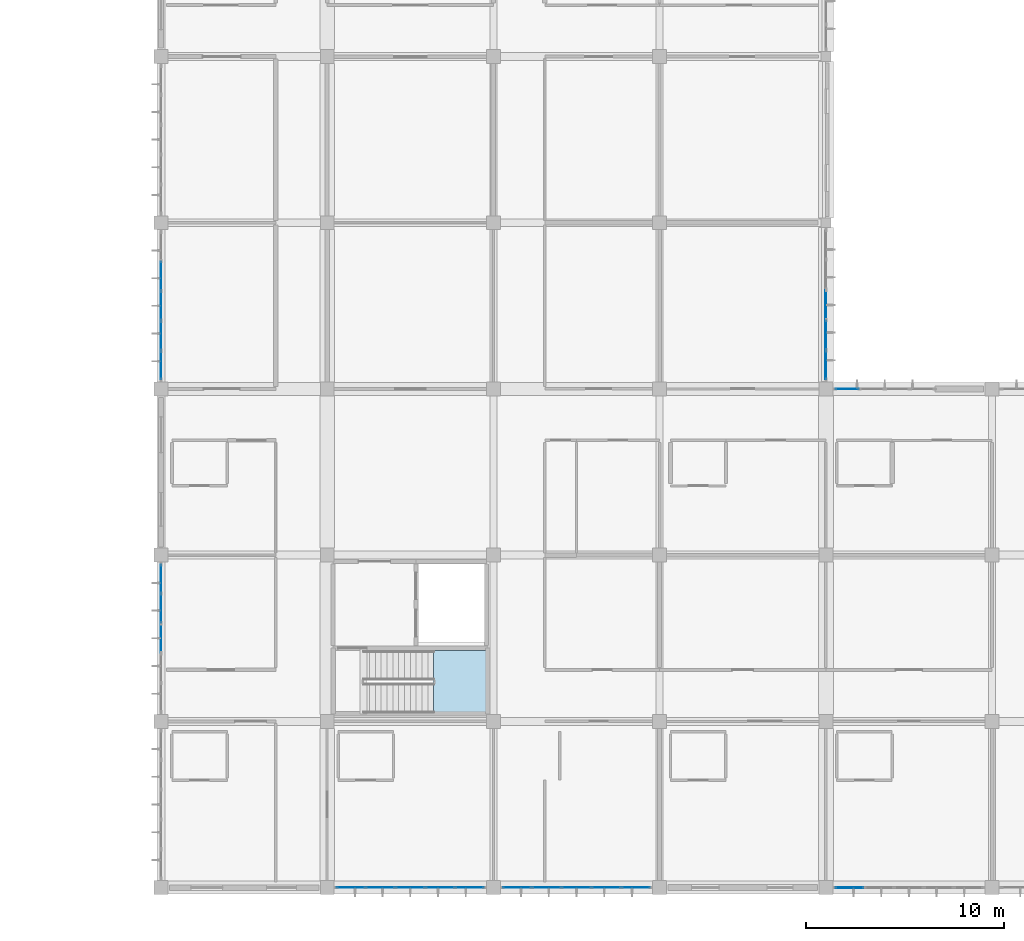
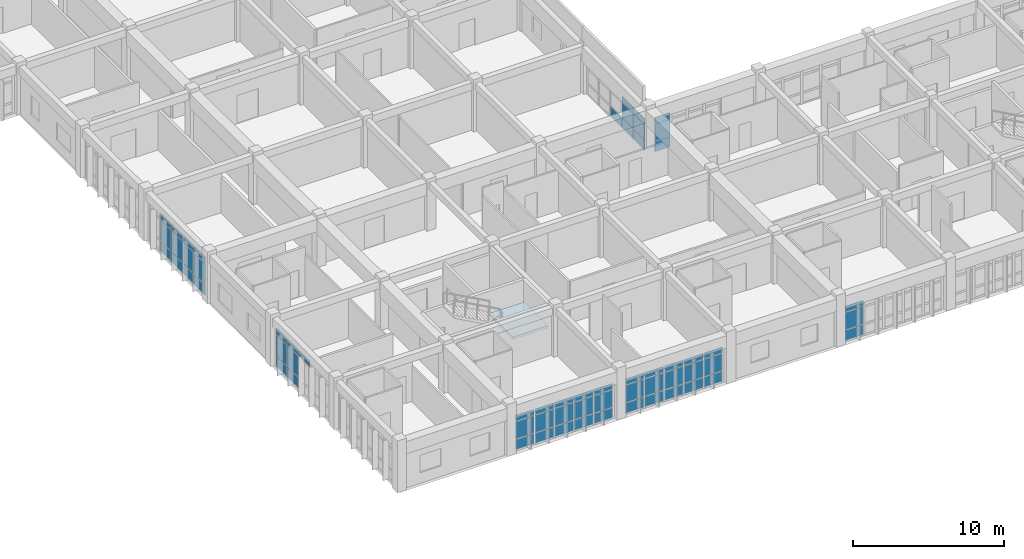
# One storey, part 57 of 119: 62 plates, 1 slab, 8 elements without a shape of their own.
"""IFC4 building model written with IfcOpenShell, lengths in metres."""

from ifc_helpers import new_model, si_unit, direction, frame, origin, origin_2d, place, context, subcontext, project, spatial, polyline, rectangle, outline, extrude, material, layer, layer_set, type_object, element, aggregate, save


model = new_model("IFC4")

# Units and contexts
model_context = context("Model", 3, precision=1e-05, world=origin(), true_north=direction((0.0, 1.0)))
body_context = subcontext(model_context, "Body", "Model", "MODEL_VIEW")
ifc_project = project(units=[si_unit("LENGTHUNIT", "METRE"), si_unit("AREAUNIT", "SQUARE_METRE"), si_unit("VOLUMEUNIT", "CUBIC_METRE"), si_unit("PLANEANGLEUNIT", "RADIAN"), si_unit("MASSUNIT", "GRAM", prefix="KILO")], contexts=[model_context])

# Site, building, storey
site_placement = place(None, origin())
site = spatial("IfcSite", under=ifc_project, at=site_placement, CompositionType="ELEMENT")
building_placement = place(site_placement, origin())
building = spatial("IfcBuilding", under=site, at=building_placement, Name="Bramfleet General Hospital", CompositionType="ELEMENT")
storey_placement = place(building_placement, frame((0.0, 0.0, 14.39990234375)))
storey = spatial("IfcBuildingStorey", under=building, at=storey_placement, Name="L03", CompositionType="ELEMENT", Elevation=14.39990234375)

# Curtain wall, plates
ifc_material_1 = material(Name="Anodised aluminium and low-E triple glazing", Category="aluminium")
ifc_layer_1 = layer(ifc_material_1, 0.179931640625, Name="CWT-CW-11")
ifc_layer_set_1 = layer_set([ifc_layer_1], Name="Anodised aluminium and low-E triple glazing")
curtain_wall_type_1 = type_object("IfcCurtainWallType", Name="CWT-CW-11", PredefinedType="USERDEFINED", material=ifc_layer_set_1)
curtain_wall_1_placement = place(storey_placement, origin())
curtain_wall_1 = element("IfcCurtainWall", 1, at=curtain_wall_1_placement, inside=storey, type_object=curtain_wall_type_1, Name="L03 Curtain Wall 173", ObjectType="Stick curtain wall", PredefinedType="USERDEFINED")
ifc_material_2 = material(Name="Low-E laminated safety glass", Category="glass")
ifc_layer_2 = layer(ifc_material_2, 0.028076171875, Name="CWP-GLZ-1")
ifc_layer_set_2 = layer_set([ifc_layer_2], Name="Low-E laminated safety glass")
plate_type_1 = type_object("IfcPlateType", Name="CWP-GLZ-1", PredefinedType="CURTAIN_PANEL", material=ifc_layer_set_2)
plate_1_placement = place(storey_placement, frame((116.402587890625, 0.0, 0.06494140625), z_axis=(0.0, 0.0, 1.0), x_axis=(-1.0, 0.0, 0.0)))
plate_1 = element("IfcPlate", 2, at=plate_1_placement, type_object=plate_type_1, Name="CW-11 panel 1.1", PredefinedType="CURTAIN_PANEL", context=body_context, shape_type="SweptSolid", body=[
    extrude(rectangle(XDim=1.405029296875, YDim=0.028076171875, at=origin_2d()), origin(), (0.0, 0.0, 1.0), 0.802490234375),
])
plate_2_placement = place(storey_placement, frame((116.402587890625, 0.0, 0.9326171875), z_axis=(0.0, 0.0, 1.0), x_axis=(-1.0, 0.0, 0.0)))
plate_2 = element("IfcPlate", 3, at=plate_2_placement, type_object=plate_type_1, Name="CW-11 panel 1.2", PredefinedType="CURTAIN_PANEL", context=body_context, shape_type="SweptSolid", body=[
    extrude(rectangle(XDim=1.405029296875, YDim=0.028076171875, at=origin_2d()), origin(), (0.0, 0.0, 1.0), 1.375),
])
plate_3_placement = place(storey_placement, frame((116.402587890625, 0.0, 2.37255859375), z_axis=(0.0, 0.0, 1.0), x_axis=(-1.0, 0.0, 0.0)))
plate_3 = element("IfcPlate", 4, at=plate_3_placement, type_object=plate_type_1, Name="CW-11 panel 1.3", PredefinedType="CURTAIN_PANEL", context=body_context, shape_type="SweptSolid", body=[
    extrude(rectangle(XDim=1.405029296875, YDim=0.028076171875, at=origin_2d()), origin(), (0.0, 0.0, 1.0), 0.452392578125),
])
plate_4_placement = place(storey_placement, frame((114.909912109375, 0.0, 0.06494140625), z_axis=(0.0, 0.0, 1.0), x_axis=(-1.0, 0.0, 0.0)))
plate_4 = element("IfcPlate", 5, at=plate_4_placement, type_object=plate_type_1, Name="CW-11 panel 2.1", PredefinedType="CURTAIN_PANEL", context=body_context, shape_type="SweptSolid", body=[
    extrude(rectangle(XDim=1.43994140625, YDim=0.028076171875, at=origin_2d()), origin(), (0.0, 0.0, 1.0), 0.802490234375),
])
plate_5_placement = place(storey_placement, frame((114.909912109375, 0.0, 0.9326171875), z_axis=(0.0, 0.0, 1.0), x_axis=(-1.0, 0.0, 0.0)))
plate_5 = element("IfcPlate", 6, at=plate_5_placement, type_object=plate_type_1, Name="CW-11 panel 2.2", PredefinedType="CURTAIN_PANEL", context=body_context, shape_type="SweptSolid", body=[
    extrude(rectangle(XDim=1.43994140625, YDim=0.028076171875, at=origin_2d()), origin(), (0.0, 0.0, 1.0), 1.375),
])
plate_6_placement = place(storey_placement, frame((114.909912109375, 0.0, 2.37255859375), z_axis=(0.0, 0.0, 1.0), x_axis=(-1.0, 0.0, 0.0)))
plate_6 = element("IfcPlate", 7, at=plate_6_placement, type_object=plate_type_1, Name="CW-11 panel 2.3", PredefinedType="CURTAIN_PANEL", context=body_context, shape_type="SweptSolid", body=[
    extrude(rectangle(XDim=1.43994140625, YDim=0.028076171875, at=origin_2d()), origin(), (0.0, 0.0, 1.0), 0.452392578125),
])
plate_7_placement = place(storey_placement, frame((113.39990234375, 0.0, 0.06494140625), z_axis=(0.0, 0.0, 1.0), x_axis=(-1.0, 0.0, 0.0)))
plate_7 = element("IfcPlate", 8, at=plate_7_placement, type_object=plate_type_1, Name="CW-11 panel 3.1", PredefinedType="CURTAIN_PANEL", context=body_context, shape_type="SweptSolid", body=[
    extrude(rectangle(XDim=1.43994140625, YDim=0.028076171875, at=origin_2d()), origin(), (0.0, 0.0, 1.0), 0.802490234375),
])
plate_8_placement = place(storey_placement, frame((113.39990234375, 0.0, 0.9326171875), z_axis=(0.0, 0.0, 1.0), x_axis=(-1.0, 0.0, 0.0)))
plate_8 = element("IfcPlate", 9, at=plate_8_placement, type_object=plate_type_1, Name="CW-11 panel 3.2", PredefinedType="CURTAIN_PANEL", context=body_context, shape_type="SweptSolid", body=[
    extrude(rectangle(XDim=1.43994140625, YDim=0.028076171875, at=origin_2d()), origin(), (0.0, 0.0, 1.0), 1.375),
])
plate_9_placement = place(storey_placement, frame((113.39990234375, 0.0, 2.37255859375), z_axis=(0.0, 0.0, 1.0), x_axis=(-1.0, 0.0, 0.0)))
plate_9 = element("IfcPlate", 10, at=plate_9_placement, type_object=plate_type_1, Name="CW-11 panel 3.3", PredefinedType="CURTAIN_PANEL", context=body_context, shape_type="SweptSolid", body=[
    extrude(rectangle(XDim=1.43994140625, YDim=0.028076171875, at=origin_2d()), origin(), (0.0, 0.0, 1.0), 0.452392578125),
])
plate_10_placement = place(storey_placement, frame((111.889892578125, 0.0, 0.06494140625), z_axis=(0.0, 0.0, 1.0), x_axis=(-1.0, 0.0, 0.0)))
plate_10 = element("IfcPlate", 11, at=plate_10_placement, type_object=plate_type_1, Name="CW-11 panel 4.1", PredefinedType="CURTAIN_PANEL", context=body_context, shape_type="SweptSolid", body=[
    extrude(rectangle(XDim=1.43994140625, YDim=0.028076171875, at=origin_2d()), origin(), (0.0, 0.0, 1.0), 0.802490234375),
])
plate_11_placement = place(storey_placement, frame((111.889892578125, 0.0, 0.9326171875), z_axis=(0.0, 0.0, 1.0), x_axis=(-1.0, 0.0, 0.0)))
plate_11 = element("IfcPlate", 12, at=plate_11_placement, type_object=plate_type_1, Name="CW-11 panel 4.2", PredefinedType="CURTAIN_PANEL", context=body_context, shape_type="SweptSolid", body=[
    extrude(rectangle(XDim=1.43994140625, YDim=0.028076171875, at=origin_2d()), origin(), (0.0, 0.0, 1.0), 1.375),
])
plate_12_placement = place(storey_placement, frame((111.889892578125, 0.0, 2.37255859375), z_axis=(0.0, 0.0, 1.0), x_axis=(-1.0, 0.0, 0.0)))
plate_12 = element("IfcPlate", 13, at=plate_12_placement, type_object=plate_type_1, Name="CW-11 panel 4.3", PredefinedType="CURTAIN_PANEL", context=body_context, shape_type="SweptSolid", body=[
    extrude(rectangle(XDim=1.43994140625, YDim=0.028076171875, at=origin_2d()), origin(), (0.0, 0.0, 1.0), 0.452392578125),
])
plate_13_placement = place(storey_placement, frame((110.3974609375, 0.0, 0.06494140625), z_axis=(0.0, 0.0, 1.0), x_axis=(-1.0, 0.0, 0.0)))
plate_13 = element("IfcPlate", 14, at=plate_13_placement, type_object=plate_type_1, Name="CW-11 panel 5.1", PredefinedType="CURTAIN_PANEL", context=body_context, shape_type="SweptSolid", body=[
    extrude(rectangle(XDim=1.405029296875, YDim=0.028076171875, at=origin_2d()), origin(), (0.0, 0.0, 1.0), 0.802490234375),
])
plate_14_placement = place(storey_placement, frame((110.3974609375, 0.0, 0.9326171875), z_axis=(0.0, 0.0, 1.0), x_axis=(-1.0, 0.0, 0.0)))
plate_14 = element("IfcPlate", 15, at=plate_14_placement, type_object=plate_type_1, Name="CW-11 panel 5.2", PredefinedType="CURTAIN_PANEL", context=body_context, shape_type="SweptSolid", body=[
    extrude(rectangle(XDim=1.405029296875, YDim=0.028076171875, at=origin_2d()), origin(), (0.0, 0.0, 1.0), 1.375),
])
plate_15_placement = place(storey_placement, frame((110.3974609375, 0.0, 2.37255859375), z_axis=(0.0, 0.0, 1.0), x_axis=(-1.0, 0.0, 0.0)))
plate_15 = element("IfcPlate", 16, at=plate_15_placement, type_object=plate_type_1, Name="CW-11 panel 5.3", PredefinedType="CURTAIN_PANEL", context=body_context, shape_type="SweptSolid", body=[
    extrude(rectangle(XDim=1.405029296875, YDim=0.028076171875, at=origin_2d()), origin(), (0.0, 0.0, 1.0), 0.452392578125),
])
aggregate(curtain_wall_1, [plate_1, plate_2, plate_3, plate_4, plate_5, plate_6, plate_7, plate_8, plate_9, plate_10, plate_11, plate_12, plate_13, plate_14, plate_15])

ifc_layer_3 = layer(ifc_material_1, 0.179931640625, Name="CWT-CW-15")
ifc_layer_set_3 = layer_set([ifc_layer_3], Name="Anodised aluminium and low-E triple glazing")
curtain_wall_type_2 = type_object("IfcCurtainWallType", Name="CWT-CW-15", PredefinedType="USERDEFINED", material=ifc_layer_set_3)
curtain_wall_2_placement = place(storey_placement, origin())
curtain_wall_2 = element("IfcCurtainWall", 17, at=curtain_wall_2_placement, inside=storey, type_object=curtain_wall_type_2, Name="L03 Curtain Wall 177", ObjectType="Stick curtain wall", PredefinedType="USERDEFINED")
plate_16_placement = place(storey_placement, frame((92.39990234375, 26.3974609375, 0.06494140625), z_axis=(0.0, 0.0, 1.0), x_axis=(0.0, 1.0, 0.0)))
plate_16 = element("IfcPlate", 18, at=plate_16_placement, type_object=plate_type_1, Name="CW-15 panel 1.1", PredefinedType="CURTAIN_PANEL", context=body_context, shape_type="SweptSolid", body=[
    extrude(rectangle(XDim=1.405029296875, YDim=0.028076171875, at=origin_2d()), origin(), (0.0, 0.0, 1.0), 0.802490234375),
])
plate_17_placement = place(storey_placement, frame((92.39990234375, 26.3974609375, 0.9326171875), z_axis=(0.0, 0.0, 1.0), x_axis=(0.0, 1.0, 0.0)))
plate_17 = element("IfcPlate", 19, at=plate_17_placement, type_object=plate_type_1, Name="CW-15 panel 1.2", PredefinedType="CURTAIN_PANEL", context=body_context, shape_type="SweptSolid", body=[
    extrude(rectangle(XDim=1.405029296875, YDim=0.028076171875, at=origin_2d()), origin(), (0.0, 0.0, 1.0), 1.675048828125),
])
plate_18_placement = place(storey_placement, frame((92.39990234375, 26.3974609375, 2.6728515625), z_axis=(0.0, 0.0, 1.0), x_axis=(0.0, 1.0, 0.0)))
plate_18 = element("IfcPlate", 20, at=plate_18_placement, type_object=plate_type_1, Name="CW-15 panel 1.3", PredefinedType="CURTAIN_PANEL", context=body_context, shape_type="SweptSolid", body=[
    extrude(rectangle(XDim=1.405029296875, YDim=0.028076171875, at=origin_2d()), origin(), (0.0, 0.0, 1.0), 0.452392578125),
])
plate_19_placement = place(storey_placement, frame((92.39990234375, 27.889892578125, 0.06494140625), z_axis=(0.0, 0.0, 1.0), x_axis=(0.0, 1.0, 0.0)))
plate_19 = element("IfcPlate", 21, at=plate_19_placement, type_object=plate_type_1, Name="CW-15 panel 2.1", PredefinedType="CURTAIN_PANEL", context=body_context, shape_type="SweptSolid", body=[
    extrude(rectangle(XDim=1.43994140625, YDim=0.028076171875, at=origin_2d()), origin(), (0.0, 0.0, 1.0), 0.802490234375),
])
plate_20_placement = place(storey_placement, frame((92.39990234375, 27.889892578125, 0.9326171875), z_axis=(0.0, 0.0, 1.0), x_axis=(0.0, 1.0, 0.0)))
plate_20 = element("IfcPlate", 22, at=plate_20_placement, type_object=plate_type_1, Name="CW-15 panel 2.2", PredefinedType="CURTAIN_PANEL", context=body_context, shape_type="SweptSolid", body=[
    extrude(rectangle(XDim=1.43994140625, YDim=0.028076171875, at=origin_2d()), origin(), (0.0, 0.0, 1.0), 1.675048828125),
])
plate_21_placement = place(storey_placement, frame((92.39990234375, 27.889892578125, 2.6728515625), z_axis=(0.0, 0.0, 1.0), x_axis=(0.0, 1.0, 0.0)))
plate_21 = element("IfcPlate", 23, at=plate_21_placement, type_object=plate_type_1, Name="CW-15 panel 2.3", PredefinedType="CURTAIN_PANEL", context=body_context, shape_type="SweptSolid", body=[
    extrude(rectangle(XDim=1.43994140625, YDim=0.028076171875, at=origin_2d()), origin(), (0.0, 0.0, 1.0), 0.452392578125),
])
plate_22_placement = place(storey_placement, frame((92.39990234375, 29.39990234375, 0.06494140625), z_axis=(0.0, 0.0, 1.0), x_axis=(0.0, 1.0, 0.0)))
plate_22 = element("IfcPlate", 24, at=plate_22_placement, type_object=plate_type_1, Name="CW-15 panel 3.1", PredefinedType="CURTAIN_PANEL", context=body_context, shape_type="SweptSolid", body=[
    extrude(rectangle(XDim=1.43994140625, YDim=0.028076171875, at=origin_2d()), origin(), (0.0, 0.0, 1.0), 0.802490234375),
])
plate_23_placement = place(storey_placement, frame((92.39990234375, 29.39990234375, 0.9326171875), z_axis=(0.0, 0.0, 1.0), x_axis=(0.0, 1.0, 0.0)))
plate_23 = element("IfcPlate", 25, at=plate_23_placement, type_object=plate_type_1, Name="CW-15 panel 3.2", PredefinedType="CURTAIN_PANEL", context=body_context, shape_type="SweptSolid", body=[
    extrude(rectangle(XDim=1.43994140625, YDim=0.028076171875, at=origin_2d()), origin(), (0.0, 0.0, 1.0), 1.675048828125),
])
plate_24_placement = place(storey_placement, frame((92.39990234375, 29.39990234375, 2.6728515625), z_axis=(0.0, 0.0, 1.0), x_axis=(0.0, 1.0, 0.0)))
plate_24 = element("IfcPlate", 26, at=plate_24_placement, type_object=plate_type_1, Name="CW-15 panel 3.3", PredefinedType="CURTAIN_PANEL", context=body_context, shape_type="SweptSolid", body=[
    extrude(rectangle(XDim=1.43994140625, YDim=0.028076171875, at=origin_2d()), origin(), (0.0, 0.0, 1.0), 0.452392578125),
])
plate_25_placement = place(storey_placement, frame((92.39990234375, 30.909912109375, 0.06494140625), z_axis=(0.0, 0.0, 1.0), x_axis=(0.0, 1.0, 0.0)))
plate_25 = element("IfcPlate", 27, at=plate_25_placement, type_object=plate_type_1, Name="CW-15 panel 4.1", PredefinedType="CURTAIN_PANEL", context=body_context, shape_type="SweptSolid", body=[
    extrude(rectangle(XDim=1.43994140625, YDim=0.028076171875, at=origin_2d()), origin(), (0.0, 0.0, 1.0), 0.802490234375),
])
plate_26_placement = place(storey_placement, frame((92.39990234375, 30.909912109375, 0.9326171875), z_axis=(0.0, 0.0, 1.0), x_axis=(0.0, 1.0, 0.0)))
plate_26 = element("IfcPlate", 28, at=plate_26_placement, type_object=plate_type_1, Name="CW-15 panel 4.2", PredefinedType="CURTAIN_PANEL", context=body_context, shape_type="SweptSolid", body=[
    extrude(rectangle(XDim=1.43994140625, YDim=0.028076171875, at=origin_2d()), origin(), (0.0, 0.0, 1.0), 1.675048828125),
])
plate_27_placement = place(storey_placement, frame((92.39990234375, 30.909912109375, 2.6728515625), z_axis=(0.0, 0.0, 1.0), x_axis=(0.0, 1.0, 0.0)))
plate_27 = element("IfcPlate", 29, at=plate_27_placement, type_object=plate_type_1, Name="CW-15 panel 4.3", PredefinedType="CURTAIN_PANEL", context=body_context, shape_type="SweptSolid", body=[
    extrude(rectangle(XDim=1.43994140625, YDim=0.028076171875, at=origin_2d()), origin(), (0.0, 0.0, 1.0), 0.452392578125),
])
aggregate(curtain_wall_2, [plate_16, plate_17, plate_18, plate_19, plate_20, plate_21, plate_22, plate_23, plate_24, plate_25, plate_26, plate_27])

ifc_layer_4 = layer(ifc_material_1, 0.179931640625, Name="CWT-CW-12")
ifc_layer_set_4 = layer_set([ifc_layer_4], Name="Anodised aluminium and low-E triple glazing")
curtain_wall_type_3 = type_object("IfcCurtainWallType", Name="CWT-CW-12", PredefinedType="USERDEFINED", material=ifc_layer_set_4)
curtain_wall_3_placement = place(storey_placement, origin())
curtain_wall_3 = element("IfcCurtainWall", 30, at=curtain_wall_3_placement, inside=storey, type_object=curtain_wall_type_3, Name="L03 Curtain Wall 174", ObjectType="Stick curtain wall", PredefinedType="USERDEFINED")
ifc_layer_5 = layer(ifc_material_2, 0.031982421875, Name="CWP-GLZ-2")
ifc_layer_set_5 = layer_set([ifc_layer_5], Name="Low-E laminated safety glass")
plate_type_2 = type_object("IfcPlateType", Name="CWP-GLZ-2", PredefinedType="CURTAIN_PANEL", material=ifc_layer_set_5)
plate_28_placement = place(storey_placement, frame((108.00244140625, 0.0, 0.06494140625), z_axis=(0.0, 0.0, 1.0), x_axis=(-1.0, 0.0, 0.0)))
plate_28 = element("IfcPlate", 31, at=plate_28_placement, type_object=plate_type_2, Name="CW-12 panel 1.1", PredefinedType="CURTAIN_PANEL", context=body_context, shape_type="SweptSolid", body=[
    extrude(rectangle(XDim=1.405029296875, YDim=0.031982421875, at=origin_2d()), origin(), (0.0, 0.0, 1.0), 0.802490234375),
])
plate_29_placement = place(storey_placement, frame((108.00244140625, 0.0, 0.9326171875), z_axis=(0.0, 0.0, 1.0), x_axis=(-1.0, 0.0, 0.0)))
plate_29 = element("IfcPlate", 32, at=plate_29_placement, type_object=plate_type_2, Name="CW-12 panel 1.2", PredefinedType="CURTAIN_PANEL", context=body_context, shape_type="SweptSolid", body=[
    extrude(rectangle(XDim=1.405029296875, YDim=0.031982421875, at=origin_2d()), origin(), (0.0, 0.0, 1.0), 1.375),
])
plate_30_placement = place(storey_placement, frame((108.00244140625, 0.0, 2.37255859375), z_axis=(0.0, 0.0, 1.0), x_axis=(-1.0, 0.0, 0.0)))
plate_30 = element("IfcPlate", 33, at=plate_30_placement, type_object=plate_type_2, Name="CW-12 panel 1.3", PredefinedType="CURTAIN_PANEL", context=body_context, shape_type="SweptSolid", body=[
    extrude(rectangle(XDim=1.405029296875, YDim=0.031982421875, at=origin_2d()), origin(), (0.0, 0.0, 1.0), 0.452392578125),
])
plate_31_placement = place(storey_placement, frame((106.510009765625, 0.0, 0.06494140625), z_axis=(0.0, 0.0, 1.0), x_axis=(-1.0, 0.0, 0.0)))
plate_31 = element("IfcPlate", 34, at=plate_31_placement, type_object=plate_type_2, Name="CW-12 panel 2.1", PredefinedType="CURTAIN_PANEL", context=body_context, shape_type="SweptSolid", body=[
    extrude(rectangle(XDim=1.43994140625, YDim=0.031982421875, at=origin_2d()), origin(), (0.0, 0.0, 1.0), 0.802490234375),
])
plate_32_placement = place(storey_placement, frame((106.510009765625, 0.0, 0.9326171875), z_axis=(0.0, 0.0, 1.0), x_axis=(-1.0, 0.0, 0.0)))
plate_32 = element("IfcPlate", 35, at=plate_32_placement, type_object=plate_type_2, Name="CW-12 panel 2.2", PredefinedType="CURTAIN_PANEL", context=body_context, shape_type="SweptSolid", body=[
    extrude(rectangle(XDim=1.43994140625, YDim=0.031982421875, at=origin_2d()), origin(), (0.0, 0.0, 1.0), 1.375),
])
plate_33_placement = place(storey_placement, frame((106.510009765625, 0.0, 2.37255859375), z_axis=(0.0, 0.0, 1.0), x_axis=(-1.0, 0.0, 0.0)))
plate_33 = element("IfcPlate", 36, at=plate_33_placement, type_object=plate_type_2, Name="CW-12 panel 2.3", PredefinedType="CURTAIN_PANEL", context=body_context, shape_type="SweptSolid", body=[
    extrude(rectangle(XDim=1.43994140625, YDim=0.031982421875, at=origin_2d()), origin(), (0.0, 0.0, 1.0), 0.452392578125),
])
plate_34_placement = place(storey_placement, frame((105.0, 0.0, 0.06494140625), z_axis=(0.0, 0.0, 1.0), x_axis=(-1.0, 0.0, 0.0)))
plate_34 = element("IfcPlate", 37, at=plate_34_placement, type_object=plate_type_2, Name="CW-12 panel 3.1", PredefinedType="CURTAIN_PANEL", context=body_context, shape_type="SweptSolid", body=[
    extrude(rectangle(XDim=1.43994140625, YDim=0.031982421875, at=origin_2d()), origin(), (0.0, 0.0, 1.0), 0.802490234375),
])
plate_35_placement = place(storey_placement, frame((105.0, 0.0, 0.9326171875), z_axis=(0.0, 0.0, 1.0), x_axis=(-1.0, 0.0, 0.0)))
plate_35 = element("IfcPlate", 38, at=plate_35_placement, type_object=plate_type_2, Name="CW-12 panel 3.2", PredefinedType="CURTAIN_PANEL", context=body_context, shape_type="SweptSolid", body=[
    extrude(rectangle(XDim=1.43994140625, YDim=0.031982421875, at=origin_2d()), origin(), (0.0, 0.0, 1.0), 1.375),
])
plate_36_placement = place(storey_placement, frame((105.0, 0.0, 2.37255859375), z_axis=(0.0, 0.0, 1.0), x_axis=(-1.0, 0.0, 0.0)))
plate_36 = element("IfcPlate", 39, at=plate_36_placement, type_object=plate_type_2, Name="CW-12 panel 3.3", PredefinedType="CURTAIN_PANEL", context=body_context, shape_type="SweptSolid", body=[
    extrude(rectangle(XDim=1.43994140625, YDim=0.031982421875, at=origin_2d()), origin(), (0.0, 0.0, 1.0), 0.452392578125),
])
plate_37_placement = place(storey_placement, frame((103.489990234375, 0.0, 0.06494140625), z_axis=(0.0, 0.0, 1.0), x_axis=(-1.0, 0.0, 0.0)))
plate_37 = element("IfcPlate", 40, at=plate_37_placement, type_object=plate_type_2, Name="CW-12 panel 4.1", PredefinedType="CURTAIN_PANEL", context=body_context, shape_type="SweptSolid", body=[
    extrude(rectangle(XDim=1.43994140625, YDim=0.031982421875, at=origin_2d()), origin(), (0.0, 0.0, 1.0), 0.802490234375),
])
plate_38_placement = place(storey_placement, frame((103.489990234375, 0.0, 0.9326171875), z_axis=(0.0, 0.0, 1.0), x_axis=(-1.0, 0.0, 0.0)))
plate_38 = element("IfcPlate", 41, at=plate_38_placement, type_object=plate_type_2, Name="CW-12 panel 4.2", PredefinedType="CURTAIN_PANEL", context=body_context, shape_type="SweptSolid", body=[
    extrude(rectangle(XDim=1.43994140625, YDim=0.031982421875, at=origin_2d()), origin(), (0.0, 0.0, 1.0), 1.375),
])
plate_39_placement = place(storey_placement, frame((103.489990234375, 0.0, 2.37255859375), z_axis=(0.0, 0.0, 1.0), x_axis=(-1.0, 0.0, 0.0)))
plate_39 = element("IfcPlate", 42, at=plate_39_placement, type_object=plate_type_2, Name="CW-12 panel 4.3", PredefinedType="CURTAIN_PANEL", context=body_context, shape_type="SweptSolid", body=[
    extrude(rectangle(XDim=1.43994140625, YDim=0.031982421875, at=origin_2d()), origin(), (0.0, 0.0, 1.0), 0.452392578125),
])
plate_40_placement = place(storey_placement, frame((101.99755859375, 0.0, 0.06494140625), z_axis=(0.0, 0.0, 1.0), x_axis=(-1.0, 0.0, 0.0)))
plate_40 = element("IfcPlate", 43, at=plate_40_placement, type_object=plate_type_2, Name="CW-12 panel 5.1", PredefinedType="CURTAIN_PANEL", context=body_context, shape_type="SweptSolid", body=[
    extrude(rectangle(XDim=1.405029296875, YDim=0.031982421875, at=origin_2d()), origin(), (0.0, 0.0, 1.0), 0.802490234375),
])
plate_41_placement = place(storey_placement, frame((101.99755859375, 0.0, 0.9326171875), z_axis=(0.0, 0.0, 1.0), x_axis=(-1.0, 0.0, 0.0)))
plate_41 = element("IfcPlate", 44, at=plate_41_placement, type_object=plate_type_2, Name="CW-12 panel 5.2", PredefinedType="CURTAIN_PANEL", context=body_context, shape_type="SweptSolid", body=[
    extrude(rectangle(XDim=1.405029296875, YDim=0.031982421875, at=origin_2d()), origin(), (0.0, 0.0, 1.0), 1.375),
])
plate_42_placement = place(storey_placement, frame((101.99755859375, 0.0, 2.37255859375), z_axis=(0.0, 0.0, 1.0), x_axis=(-1.0, 0.0, 0.0)))
plate_42 = element("IfcPlate", 45, at=plate_42_placement, type_object=plate_type_2, Name="CW-12 panel 5.3", PredefinedType="CURTAIN_PANEL", context=body_context, shape_type="SweptSolid", body=[
    extrude(rectangle(XDim=1.405029296875, YDim=0.031982421875, at=origin_2d()), origin(), (0.0, 0.0, 1.0), 0.452392578125),
])
aggregate(curtain_wall_3, [plate_28, plate_29, plate_30, plate_31, plate_32, plate_33, plate_34, plate_35, plate_36, plate_37, plate_38, plate_39, plate_40, plate_41, plate_42])

ifc_layer_6 = layer(ifc_material_1, 0.179931640625, Name="CWT-CW-01")
ifc_layer_set_6 = layer_set([ifc_layer_6], Name="Anodised aluminium and low-E triple glazing")
curtain_wall_type_4 = type_object("IfcCurtainWallType", Name="CWT-CW-01", PredefinedType="USERDEFINED", material=ifc_layer_set_6)
curtain_wall_4_placement = place(storey_placement, origin())
curtain_wall_4 = element("IfcCurtainWall", 46, at=curtain_wall_4_placement, inside=storey, type_object=curtain_wall_type_4, Name="L03 Curtain Wall 163", ObjectType="Unitised curtain wall", PredefinedType="USERDEFINED")
ifc_layer_7 = layer(ifc_material_2, 0.035888671875, Name="CWP-GLZ-3")
ifc_layer_set_7 = layer_set([ifc_layer_7], Name="Low-E laminated safety glass")
plate_type_3 = type_object("IfcPlateType", Name="CWP-GLZ-3", PredefinedType="CURTAIN_PANEL", material=ifc_layer_set_7)
plate_43_placement = place(storey_placement, frame((126.0, 29.449951171875, 0.06494140625), z_axis=(0.0, 0.0, 1.0), x_axis=(0.0, -1.0, 0.0)))
plate_43 = element("IfcPlate", 47, at=plate_43_placement, type_object=plate_type_3, Name="CW-01 panel 3.1", PredefinedType="CURTAIN_PANEL", context=body_context, shape_type="SweptSolid", body=[
    extrude(rectangle(XDim=1.4599609375, YDim=0.035888671875, at=origin_2d()), origin(), (0.0, 0.0, 1.0), 0.802490234375),
])
plate_44_placement = place(storey_placement, frame((126.0, 27.919921875, 0.06494140625), z_axis=(0.0, 0.0, 1.0), x_axis=(0.0, -1.0, 0.0)))
plate_44 = element("IfcPlate", 48, at=plate_44_placement, type_object=plate_type_3, Name="CW-01 panel 4.1", PredefinedType="CURTAIN_PANEL", context=body_context, shape_type="SweptSolid", body=[
    extrude(rectangle(XDim=1.4599609375, YDim=0.035888671875, at=origin_2d()), origin(), (0.0, 0.0, 1.0), 0.802490234375),
])
plate_45_placement = place(storey_placement, frame((126.0, 27.919921875, 0.9326171875), z_axis=(0.0, 0.0, 1.0), x_axis=(0.0, -1.0, 0.0)))
plate_45 = element("IfcPlate", 49, at=plate_45_placement, type_object=plate_type_3, Name="CW-01 panel 4.2", PredefinedType="CURTAIN_PANEL", context=body_context, shape_type="SweptSolid", body=[
    extrude(rectangle(XDim=1.4599609375, YDim=0.035888671875, at=origin_2d()), origin(), (0.0, 0.0, 1.0), 1.175048828125),
])
plate_46_placement = place(storey_placement, frame((126.0, 27.919921875, 2.1728515625), z_axis=(0.0, 0.0, 1.0), x_axis=(0.0, -1.0, 0.0)))
plate_46 = element("IfcPlate", 50, at=plate_46_placement, type_object=plate_type_3, Name="CW-01 panel 4.3", PredefinedType="CURTAIN_PANEL", context=body_context, shape_type="SweptSolid", body=[
    extrude(rectangle(XDim=1.4599609375, YDim=0.035888671875, at=origin_2d()), origin(), (0.0, 0.0, 1.0), 0.452392578125),
])
plate_47_placement = place(storey_placement, frame((126.0, 26.407470703125, 0.06494140625), z_axis=(0.0, 0.0, 1.0), x_axis=(0.0, -1.0, 0.0)))
plate_47 = element("IfcPlate", 51, at=plate_47_placement, type_object=plate_type_3, Name="CW-01 panel 5.1", PredefinedType="CURTAIN_PANEL", context=body_context, shape_type="SweptSolid", body=[
    extrude(rectangle(XDim=1.425048828125, YDim=0.035888671875, at=origin_2d()), origin(), (0.0, 0.0, 1.0), 0.802490234375),
])
plate_48_placement = place(storey_placement, frame((126.0, 26.407470703125, 0.9326171875), z_axis=(0.0, 0.0, 1.0), x_axis=(0.0, -1.0, 0.0)))
plate_48 = element("IfcPlate", 52, at=plate_48_placement, type_object=plate_type_3, Name="CW-01 panel 5.2", PredefinedType="CURTAIN_PANEL", context=body_context, shape_type="SweptSolid", body=[
    extrude(rectangle(XDim=1.425048828125, YDim=0.035888671875, at=origin_2d()), origin(), (0.0, 0.0, 1.0), 1.175048828125),
])
plate_49_placement = place(storey_placement, frame((126.0, 26.407470703125, 2.1728515625), z_axis=(0.0, 0.0, 1.0), x_axis=(0.0, -1.0, 0.0)))
plate_49 = element("IfcPlate", 53, at=plate_49_placement, type_object=plate_type_3, Name="CW-01 panel 5.3", PredefinedType="CURTAIN_PANEL", context=body_context, shape_type="SweptSolid", body=[
    extrude(rectangle(XDim=1.425048828125, YDim=0.035888671875, at=origin_2d()), origin(), (0.0, 0.0, 1.0), 0.452392578125),
])
aggregate(curtain_wall_4, [plate_43, plate_44, plate_45, plate_46, plate_47, plate_48, plate_49])

ifc_layer_8 = layer(ifc_material_1, 0.179931640625, Name="CWT-CW-02")
ifc_layer_set_8 = layer_set([ifc_layer_8], Name="Anodised aluminium and low-E triple glazing")
curtain_wall_type_5 = type_object("IfcCurtainWallType", Name="CWT-CW-02", PredefinedType="USERDEFINED", material=ifc_layer_set_8)
curtain_wall_5_placement = place(storey_placement, origin())
curtain_wall_5 = element("IfcCurtainWall", 54, at=curtain_wall_5_placement, inside=storey, type_object=curtain_wall_type_5, Name="L03 Curtain Wall 164", ObjectType="Unitised curtain wall", PredefinedType="USERDEFINED")
ifc_layer_9 = layer(ifc_material_2, 0.0419921875, Name="CWP-GLZ-4")
ifc_layer_set_9 = layer_set([ifc_layer_9], Name="Low-E laminated safety glass")
plate_type_4 = type_object("IfcPlateType", Name="CWP-GLZ-4", PredefinedType="CURTAIN_PANEL", material=ifc_layer_set_9)
plate_50_placement = place(storey_placement, frame((127.07958984375, 25.199951171875, 0.06494140625), z_axis=(0.0, 0.0, 1.0), x_axis=(1.0, 0.0, 0.0)))
plate_50 = element("IfcPlate", 55, at=plate_50_placement, type_object=plate_type_4, Name="CW-02 panel 1.1", PredefinedType="CURTAIN_PANEL", context=body_context, shape_type="SweptSolid", body=[
    extrude(rectangle(XDim=1.1689453125, YDim=0.0419921875, at=origin_2d()), origin(), (0.0, 0.0, 1.0), 0.802490234375),
])
plate_51_placement = place(storey_placement, frame((127.07958984375, 25.199951171875, 0.9326171875), z_axis=(0.0, 0.0, 1.0), x_axis=(1.0, 0.0, 0.0)))
plate_51 = element("IfcPlate", 56, at=plate_51_placement, type_object=plate_type_4, Name="CW-02 panel 1.2", PredefinedType="CURTAIN_PANEL", context=body_context, shape_type="SweptSolid", body=[
    extrude(rectangle(XDim=1.1689453125, YDim=0.0419921875, at=origin_2d()), origin(), (0.0, 0.0, 1.0), 1.375),
])
plate_52_placement = place(storey_placement, frame((127.07958984375, 25.199951171875, 2.37255859375), z_axis=(0.0, 0.0, 1.0), x_axis=(1.0, 0.0, 0.0)))
plate_52 = element("IfcPlate", 57, at=plate_52_placement, type_object=plate_type_4, Name="CW-02 panel 1.3", PredefinedType="CURTAIN_PANEL", context=body_context, shape_type="SweptSolid", body=[
    extrude(rectangle(XDim=1.1689453125, YDim=0.0419921875, at=origin_2d()), origin(), (0.0, 0.0, 1.0), 0.452392578125),
])
aggregate(curtain_wall_5, [plate_50, plate_51, plate_52])

ifc_layer_10 = layer(ifc_material_1, 0.179931640625, Name="CWT-CW-10")
ifc_layer_set_10 = layer_set([ifc_layer_10], Name="Anodised aluminium and low-E triple glazing")
curtain_wall_type_6 = type_object("IfcCurtainWallType", Name="CWT-CW-10", PredefinedType="USERDEFINED", material=ifc_layer_set_10)
curtain_wall_6_placement = place(storey_placement, origin())
curtain_wall_6 = element("IfcCurtainWall", 58, at=curtain_wall_6_placement, inside=storey, type_object=curtain_wall_type_6, Name="L03 Curtain Wall 172", ObjectType="Stick curtain wall", PredefinedType="USERDEFINED")
plate_53_placement = place(storey_placement, frame((127.197509765625, 0.0, 0.06494140625), z_axis=(0.0, 0.0, 1.0), x_axis=(-1.0, 0.0, 0.0)))
plate_53 = element("IfcPlate", 59, at=plate_53_placement, type_object=plate_type_4, Name="CW-10 panel 5.1", PredefinedType="CURTAIN_PANEL", context=body_context, shape_type="SweptSolid", body=[
    extrude(rectangle(XDim=1.405029296875, YDim=0.0419921875, at=origin_2d()), origin(), (0.0, 0.0, 1.0), 0.802490234375),
])
plate_54_placement = place(storey_placement, frame((127.197509765625, 0.0, 0.9326171875), z_axis=(0.0, 0.0, 1.0), x_axis=(-1.0, 0.0, 0.0)))
plate_54 = element("IfcPlate", 60, at=plate_54_placement, type_object=plate_type_4, Name="CW-10 panel 5.2", PredefinedType="CURTAIN_PANEL", context=body_context, shape_type="SweptSolid", body=[
    extrude(rectangle(XDim=1.405029296875, YDim=0.0419921875, at=origin_2d()), origin(), (0.0, 0.0, 1.0), 1.375),
])
plate_55_placement = place(storey_placement, frame((127.197509765625, 0.0, 2.37255859375), z_axis=(0.0, 0.0, 1.0), x_axis=(-1.0, 0.0, 0.0)))
plate_55 = element("IfcPlate", 61, at=plate_55_placement, type_object=plate_type_4, Name="CW-10 panel 5.3", PredefinedType="CURTAIN_PANEL", context=body_context, shape_type="SweptSolid", body=[
    extrude(rectangle(XDim=1.405029296875, YDim=0.0419921875, at=origin_2d()), origin(), (0.0, 0.0, 1.0), 0.452392578125),
])
aggregate(curtain_wall_6, [plate_53, plate_54, plate_55])

ifc_layer_11 = layer(ifc_material_1, 0.179931640625, Name="CWT-CW-14")
ifc_layer_set_11 = layer_set([ifc_layer_11], Name="Anodised aluminium and low-E triple glazing")
curtain_wall_type_7 = type_object("IfcCurtainWallType", Name="CWT-CW-14", PredefinedType="USERDEFINED", material=ifc_layer_set_11)
curtain_wall_7_placement = place(storey_placement, origin())
curtain_wall_7 = element("IfcCurtainWall", 62, at=curtain_wall_7_placement, inside=storey, type_object=curtain_wall_type_7, Name="L03 Curtain Wall 176", ObjectType="Stick curtain wall", PredefinedType="USERDEFINED")
plate_56_placement = place(storey_placement, frame((92.39990234375, 12.60009765625, 2.6728515625), z_axis=(0.0, 0.0, 1.0), x_axis=(0.0, 1.0, 0.0)))
plate_56 = element("IfcPlate", 63, at=plate_56_placement, type_object=plate_type_4, Name="CW-14 panel 3.3", PredefinedType="CURTAIN_PANEL", context=body_context, shape_type="SweptSolid", body=[
    extrude(rectangle(XDim=1.43994140625, YDim=0.0419921875, at=origin_2d()), origin(), (0.0, 0.0, 1.0), 0.452392578125),
])
plate_57_placement = place(storey_placement, frame((92.39990234375, 14.110107421875, 0.06494140625), z_axis=(0.0, 0.0, 1.0), x_axis=(0.0, 1.0, 0.0)))
plate_57 = element("IfcPlate", 64, at=plate_57_placement, type_object=plate_type_4, Name="CW-14 panel 4.1", PredefinedType="CURTAIN_PANEL", context=body_context, shape_type="SweptSolid", body=[
    extrude(rectangle(XDim=1.43994140625, YDim=0.0419921875, at=origin_2d()), origin(), (0.0, 0.0, 1.0), 0.802490234375),
])
plate_58_placement = place(storey_placement, frame((92.39990234375, 14.110107421875, 0.9326171875), z_axis=(0.0, 0.0, 1.0), x_axis=(0.0, 1.0, 0.0)))
plate_58 = element("IfcPlate", 65, at=plate_58_placement, type_object=plate_type_4, Name="CW-14 panel 4.2", PredefinedType="CURTAIN_PANEL", context=body_context, shape_type="SweptSolid", body=[
    extrude(rectangle(XDim=1.43994140625, YDim=0.0419921875, at=origin_2d()), origin(), (0.0, 0.0, 1.0), 1.675048828125),
])
plate_59_placement = place(storey_placement, frame((92.39990234375, 14.110107421875, 2.6728515625), z_axis=(0.0, 0.0, 1.0), x_axis=(0.0, 1.0, 0.0)))
plate_59 = element("IfcPlate", 66, at=plate_59_placement, type_object=plate_type_4, Name="CW-14 panel 4.3", PredefinedType="CURTAIN_PANEL", context=body_context, shape_type="SweptSolid", body=[
    extrude(rectangle(XDim=1.43994140625, YDim=0.0419921875, at=origin_2d()), origin(), (0.0, 0.0, 1.0), 0.452392578125),
])
plate_60_placement = place(storey_placement, frame((92.39990234375, 15.6025390625, 0.06494140625), z_axis=(0.0, 0.0, 1.0), x_axis=(0.0, 1.0, 0.0)))
plate_60 = element("IfcPlate", 67, at=plate_60_placement, type_object=plate_type_4, Name="CW-14 panel 5.1", PredefinedType="CURTAIN_PANEL", context=body_context, shape_type="SweptSolid", body=[
    extrude(rectangle(XDim=1.405029296875, YDim=0.0419921875, at=origin_2d()), origin(), (0.0, 0.0, 1.0), 0.802490234375),
])
plate_61_placement = place(storey_placement, frame((92.39990234375, 15.6025390625, 0.9326171875), z_axis=(0.0, 0.0, 1.0), x_axis=(0.0, 1.0, 0.0)))
plate_61 = element("IfcPlate", 68, at=plate_61_placement, type_object=plate_type_4, Name="CW-14 panel 5.2", PredefinedType="CURTAIN_PANEL", context=body_context, shape_type="SweptSolid", body=[
    extrude(rectangle(XDim=1.405029296875, YDim=0.0419921875, at=origin_2d()), origin(), (0.0, 0.0, 1.0), 1.675048828125),
])
plate_62_placement = place(storey_placement, frame((92.39990234375, 15.6025390625, 2.6728515625), z_axis=(0.0, 0.0, 1.0), x_axis=(0.0, 1.0, 0.0)))
plate_62 = element("IfcPlate", 69, at=plate_62_placement, type_object=plate_type_4, Name="CW-14 panel 5.3", PredefinedType="CURTAIN_PANEL", context=body_context, shape_type="SweptSolid", body=[
    extrude(rectangle(XDim=1.405029296875, YDim=0.0419921875, at=origin_2d()), origin(), (0.0, 0.0, 1.0), 0.452392578125),
])
aggregate(curtain_wall_7, [plate_56, plate_57, plate_58, plate_59, plate_60, plate_61, plate_62])

# Stair, slab
ifc_material_3 = material(Name="Concrete C35/45", Category="concrete")
stair_type = type_object("IfcStairType", Name="STR-T3", PredefinedType="HALF_TURN_STAIR", material=ifc_material_3)
stair_placement = place(storey_placement, origin())
stair = element("IfcStair", 70, at=stair_placement, inside=storey, type_object=stair_type, Name="L03 Core C3 (South Ward Wing) Protected Escape Stair", PredefinedType="HALF_TURN_STAIR")
ifc_layer_12 = layer(ifc_material_3, 0.199951171875, Name="SL-LND-200")
ifc_layer_set_12 = layer_set([ifc_layer_12], Name="Concrete C35/45")
slab_type = type_object("IfcSlabType", Name="SL-LND-200", PredefinedType="LANDING", material=ifc_layer_set_12)
slab_placement = place(storey_placement, frame((0.0, 0.0, 1.900146484375)))
slab = element("IfcSlab", 71, at=slab_placement, type_object=slab_type, Name="ST-C3 landing 1", PredefinedType="LANDING", context=body_context, shape_type="SweptSolid", body=[
    extrude(outline(polyline([(106.179931640625, 8.820068359375), (108.860107421875, 8.820068359375), (108.860107421875, 11.97998046875), (106.179931640625, 11.97998046875), (106.179931640625, 8.820068359375)])), origin(), (0.0, 0.0, 1.0), 0.199951171875),
])
aggregate(stair, [slab])

save(model, "model.ifc")
